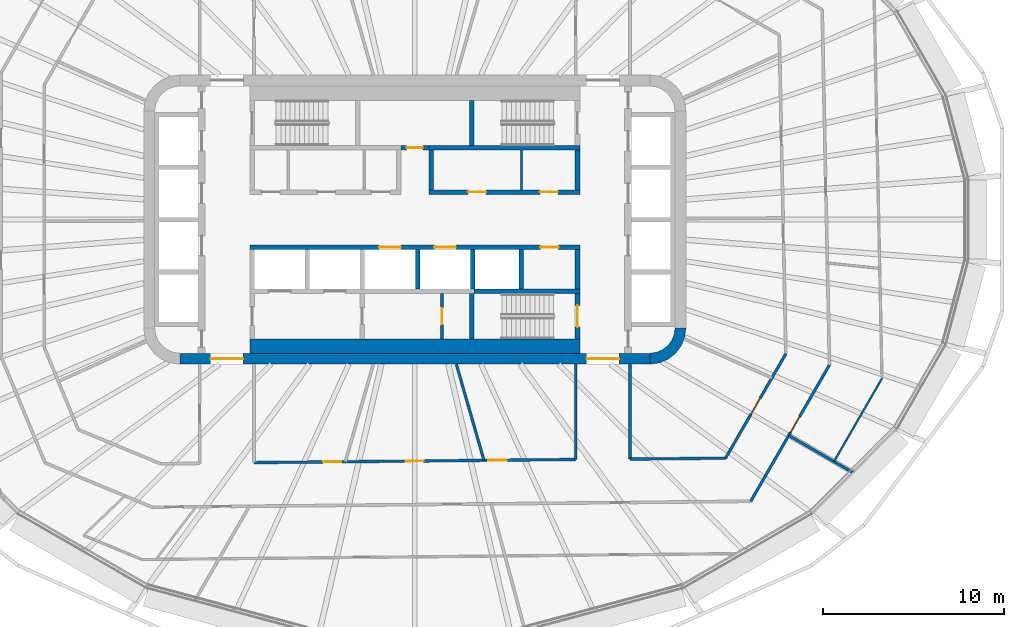
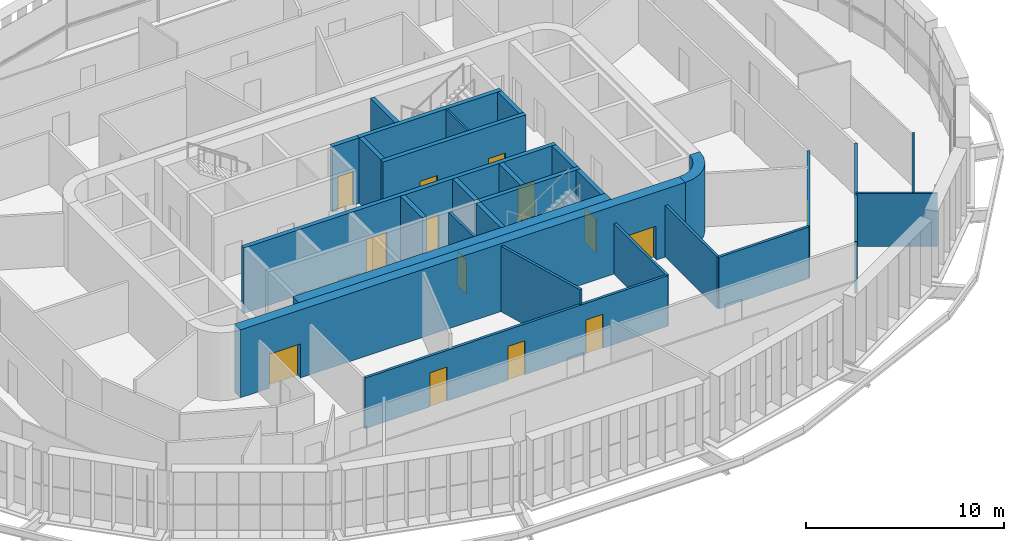
# One storey, part 14 of 24: 28 walls, 15 doors, 15 openings.
"""IFC4 building model written with IfcOpenShell, lengths in metres."""

from ifc_helpers import new_model, si_unit, direction, frame, frame_2d, origin, place, context, subcontext, project, spatial, polyline, rectangle, outline, extrude, material, layer, layer_set, type_object, element, fill, save


model = new_model("IFC4")

# Units and contexts
model_context = context("Model", 3, precision=1e-05, world=origin(), true_north=direction((0.0, 1.0)))
body_context = subcontext(model_context, "Body", "Model", "MODEL_VIEW")
ifc_project = project(units=[si_unit("LENGTHUNIT", "METRE"), si_unit("AREAUNIT", "SQUARE_METRE"), si_unit("VOLUMEUNIT", "CUBIC_METRE"), si_unit("PLANEANGLEUNIT", "RADIAN"), si_unit("MASSUNIT", "GRAM", prefix="KILO")], contexts=[model_context])

# Site, building, storey
site_placement = place(None, origin())
site = spatial("IfcSite", under=ifc_project, at=site_placement, CompositionType="ELEMENT")
building_placement = place(site_placement, origin())
building = spatial("IfcBuilding", under=site, at=building_placement, Name="Sahrelin Media Tower", CompositionType="ELEMENT")
storey_placement = place(building_placement, frame((0.0, 0.0, 58.800048828125)))
storey = spatial("IfcBuildingStorey", under=building, at=storey_placement, Name="L09", CompositionType="ELEMENT", Elevation=58.800048828125)

# Wall, openings, doors
ifc_material_1 = material(Name="Concrete C60/75", Category="concrete")
ifc_layer_1 = layer(ifc_material_1, 0.60009765625)
ifc_layer_set_1 = layer_set([ifc_layer_1], Name="Core wall 600")
wall_type_1 = type_object("IfcWallType", Name="Core wall 600", PredefinedType="SHEAR", material=ifc_layer_set_1)
wall_1_placement = place(storey_placement, frame((-13.0, -7.699951171875, 0.0), z_axis=(0.0, 0.0, 1.0), x_axis=(1.0, 0.0, 0.0)))
wall_1 = element("IfcWall", 1, at=wall_1_placement, inside=storey, type_object=wall_type_1, Name="Core wall S L09", PredefinedType="SHEAR", context=body_context, shape_type="SweptSolid", body=[
    extrude(rectangle(XDim=26.0, YDim=0.60009765625, at=frame_2d((13.0, 0.0))), origin(), (0.0, 0.0, 1.0), 4.199951171875),
])
opening_1_placement = place(wall_1_placement, frame((1.699951171875, 0.0, 0.0)))
opening_1 = element("IfcOpeningElement", 2, at=opening_1_placement, cuts=wall_1, Name="Opening L09-D20", PredefinedType="OPENING", context=body_context, shape_type="SweptSolid", body=[
    extrude(rectangle(XDim=1.800048828125, YDim=2.10009765625, at=frame_2d((0.89990234375, 1.050048828125))), frame((0.0, 0.300048828125, 0.0), z_axis=(0.0, -1.0, 0.0), x_axis=(1.0, 0.0, 0.0)), (0.0, 0.0, 1.0), 0.60009765625),
])
opening_2_placement = place(wall_1_placement, frame((22.5, 0.0, 0.0)))
opening_2 = element("IfcOpeningElement", 3, at=opening_2_placement, cuts=wall_1, Name="Opening L09-D21", PredefinedType="OPENING", context=body_context, shape_type="SweptSolid", body=[
    extrude(rectangle(XDim=1.800048828125, YDim=2.10009765625, at=frame_2d((0.89990234375, 1.050048828125))), frame((0.0, 0.300048828125, 0.0), z_axis=(0.0, -1.0, 0.0), x_axis=(1.0, 0.0, 0.0)), (0.0, 0.0, 1.0), 0.60009765625),
])
ifc_material_2 = material(Name="Steel fire door leaf", Category="steel")
door_type_1 = type_object("IfcDoorType", Name="Lobby double door 1800 x 2100 EI 60", OperationType="DOUBLE_DOOR_SINGLE_SWING", PredefinedType="DOOR", material=ifc_material_2)
door_1_placement = place(opening_1_placement, origin())
door_1 = element("IfcDoor", 4, at=door_1_placement, inside=storey, type_object=door_type_1, Name="Lobby door", OperationType="DOUBLE_DOOR_SINGLE_SWING", OverallHeight=2.10009765625, OverallWidth=1.800048828125, PredefinedType="DOOR", context=body_context, shape_type="SweptSolid", body=[
    extrude(rectangle(XDim=1.800048828125, YDim=2.10009765625, at=frame_2d((0.89990234375, 1.050048828125))), frame((0.0, 0.02490234375, 0.0), z_axis=(0.0, -1.0, 0.0), x_axis=(1.0, 0.0, 0.0)), (0.0, 0.0, 1.0), 0.050048828125),
])
fill(opening_1, door_1)
door_2_placement = place(opening_2_placement, origin())
door_2 = element("IfcDoor", 5, at=door_2_placement, inside=storey, type_object=door_type_1, Name="Lobby door", OperationType="DOUBLE_DOOR_SINGLE_SWING", OverallHeight=2.10009765625, OverallWidth=1.800048828125, PredefinedType="DOOR", context=body_context, shape_type="SweptSolid", body=[
    extrude(rectangle(XDim=1.800048828125, YDim=2.10009765625, at=frame_2d((0.89990234375, 1.050048828125))), frame((0.0, 0.02490234375, 0.0), z_axis=(0.0, -1.0, 0.0), x_axis=(1.0, 0.0, 0.0)), (0.0, 0.0, 1.0), 0.050048828125),
])
fill(opening_2, door_2)

# Wall
wall_2_placement = place(storey_placement, origin())
element("IfcWall", 6, at=wall_2_placement, inside=storey, type_object=wall_type_1, Name="Core wall corner SE L09", PredefinedType="SHEAR", context=body_context, shape_type="SweptSolid", body=[
    extrude(outline(polyline([(15.0, -6.0), (14.394775390625, -6.0), (14.347412109375, -6.361083984375), (14.2080078125, -6.697509765625), (13.986328125, -6.986328125), (13.697509765625, -7.2080078125), (13.361083984375, -7.347412109375), (13.0, -7.394775390625), (13.0, -8.0), (13.517578125, -7.931884765625), (14.0, -7.732177734375), (14.414306640625, -7.414306640625), (14.732177734375, -7.0), (14.931884765625, -6.517578125), (15.0, -6.0)])), origin(), (0.0, 0.0, 1.0), 4.199951171875),
])

# Wall, opening, door
ifc_material_3 = material(Name="Fire-rated gypsum board partition")
ifc_layer_2 = layer(ifc_material_3, 0.25)
ifc_layer_set_2 = layer_set([ifc_layer_2], Name="Fire-rated lobby wall 250")
wall_type_2 = type_object("IfcWallType", Name="Fire-rated lobby wall 250", PredefinedType="PARTITIONING", material=ifc_layer_set_2)
wall_3_placement = place(storey_placement, frame((-0.77490234375, 3.97509765625, 0.0), z_axis=(0.0, 0.0, 1.0), x_axis=(1.0, 0.0, 0.0)))
wall_3 = element("IfcWall", 7, at=wall_3_placement, inside=storey, type_object=wall_type_2, Name="Core lobby wall", PredefinedType="PARTITIONING", context=body_context, shape_type="SweptSolid", body=[
    extrude(rectangle(XDim=1.5498046875, YDim=0.25, at=frame_2d((0.77490234375, 0.0))), origin(), (0.0, 0.0, 1.0), 4.050048828125),
])
opening_3_placement = place(wall_3_placement, frame((0.324951171875, 0.0, 0.0)))
opening_3 = element("IfcOpeningElement", 8, at=opening_3_placement, cuts=wall_3, Name="Opening L09-D06", PredefinedType="OPENING", context=body_context, shape_type="SweptSolid", body=[
    extrude(rectangle(XDim=0.89990234375, YDim=2.10009765625, at=frame_2d((0.449951171875, 1.050048828125))), frame((0.0, 0.125, 0.0), z_axis=(0.0, -1.0, 0.0), x_axis=(1.0, 0.0, 0.0)), (0.0, 0.0, 1.0), 0.25),
])
door_type_2 = type_object("IfcDoorType", Name="Riser door 900 x 2100 EI 120", OperationType="NOTDEFINED", PredefinedType="DOOR", material=ifc_material_2)
door_3_placement = place(opening_3_placement, origin())
door_3 = element("IfcDoor", 9, at=door_3_placement, inside=storey, type_object=door_type_2, Name="Core room door", OperationType="SINGLE_SWING_LEFT", OverallHeight=2.10009765625, OverallWidth=0.89990234375, PredefinedType="DOOR", context=body_context, shape_type="SweptSolid", body=[
    extrude(rectangle(XDim=0.89990234375, YDim=2.10009765625, at=frame_2d((0.449951171875, 1.050048828125))), frame((0.0, 0.02490234375, 0.0), z_axis=(0.0, -1.0, 0.0), x_axis=(1.0, 0.0, 0.0)), (0.0, 0.0, 1.0), 0.050048828125),
])
fill(opening_3, door_3)

# Wall, openings, doors
wall_4_placement = place(storey_placement, frame((0.77490234375, 1.52490234375, 0.0), z_axis=(0.0, 0.0, 1.0), x_axis=(1.0, 0.0, 0.0)))
wall_4 = element("IfcWall", 10, at=wall_4_placement, inside=storey, type_object=wall_type_2, Name="Core lobby wall", PredefinedType="PARTITIONING", context=body_context, shape_type="SweptSolid", body=[
    extrude(rectangle(XDim=8.35009765625, YDim=0.25, at=frame_2d((4.175048828125, 0.0))), origin(), (0.0, 0.0, 1.0), 4.050048828125),
])
opening_4_placement = place(wall_4_placement, frame((2.16259765625, 0.0, 0.0)))
opening_4 = element("IfcOpeningElement", 11, at=opening_4_placement, cuts=wall_4, Name="Opening L09-D11", PredefinedType="OPENING", context=body_context, shape_type="SweptSolid", body=[
    extrude(rectangle(XDim=1.0, YDim=2.10009765625, at=frame_2d((0.5, 1.050048828125))), frame((0.0, 0.125, 0.0), z_axis=(0.0, -1.0, 0.0), x_axis=(1.0, 0.0, 0.0)), (0.0, 0.0, 1.0), 0.25),
])
opening_5_placement = place(wall_4_placement, frame((6.137451171875, 0.0, 0.0)))
opening_5 = element("IfcOpeningElement", 12, at=opening_5_placement, cuts=wall_4, Name="Opening L09-D12", PredefinedType="OPENING", context=body_context, shape_type="SweptSolid", body=[
    extrude(rectangle(XDim=1.0, YDim=2.10009765625, at=frame_2d((0.5, 1.050048828125))), frame((0.0, 0.125, 0.0), z_axis=(0.0, -1.0, 0.0), x_axis=(1.0, 0.0, 0.0)), (0.0, 0.0, 1.0), 0.25),
])
door_type_3 = type_object("IfcDoorType", Name="Fire door 1000 x 2100 EI 60", OperationType="NOTDEFINED", PredefinedType="DOOR", material=ifc_material_2)
door_4_placement = place(opening_4_placement, origin())
door_4 = element("IfcDoor", 13, at=door_4_placement, inside=storey, type_object=door_type_3, Name="Core room door", OperationType="SINGLE_SWING_LEFT", OverallHeight=2.10009765625, OverallWidth=1.0, PredefinedType="DOOR", context=body_context, shape_type="SweptSolid", body=[
    extrude(rectangle(XDim=1.0, YDim=2.10009765625, at=frame_2d((0.5, 1.050048828125))), frame((0.0, 0.02490234375, 0.0), z_axis=(0.0, -1.0, 0.0), x_axis=(1.0, 0.0, 0.0)), (0.0, 0.0, 1.0), 0.050048828125),
])
fill(opening_4, door_4)
door_5_placement = place(opening_5_placement, origin())
door_5 = element("IfcDoor", 14, at=door_5_placement, inside=storey, type_object=door_type_3, Name="Core room door", OperationType="SINGLE_SWING_LEFT", OverallHeight=2.10009765625, OverallWidth=1.0, PredefinedType="DOOR", context=body_context, shape_type="SweptSolid", body=[
    extrude(rectangle(XDim=1.0, YDim=2.10009765625, at=frame_2d((0.5, 1.050048828125))), frame((0.0, 0.02490234375, 0.0), z_axis=(0.0, -1.0, 0.0), x_axis=(1.0, 0.0, 0.0)), (0.0, 0.0, 1.0), 0.050048828125),
])
fill(opening_5, door_5)

# Walls
for number, where, z_axis, x_axis, name in (
    (15, (9.0, 1.64990234375, 0.0), (0.0, 0.0, 1.0), (0.0, 1.0, 0.0), "Core lobby wall"),
    (16, (0.89990234375, 1.64990234375, 0.0), (0.0, 0.0, 1.0), (0.0, 1.0, 0.0), "Core lobby wall"),
):
    element("IfcWall", number, at=place(storey_placement, frame(where, z_axis=z_axis, x_axis=x_axis)), inside=storey, type_object=wall_type_2, Name=name, PredefinedType="PARTITIONING", context=body_context, shape_type="SweptSolid", body=[
        extrude(rectangle(XDim=2.2001953125, YDim=0.25, at=frame_2d((1.10009765625, 0.0))), origin(), (0.0, 0.0, 1.0), 4.050048828125),
    ])
ifc_layer_3 = layer(ifc_material_3, 0.10009765625)
ifc_layer_set_3 = layer_set([ifc_layer_3], Name="Fire-rated partition 100")
wall_type_3 = type_object("IfcWallType", Name="Fire-rated partition 100", PredefinedType="PARTITIONING", material=ifc_layer_set_3)
wall_5_placement = place(storey_placement, frame((5.89990234375, 1.64990234375, 0.0), z_axis=(0.0, 0.0, 1.0), x_axis=(0.0, 1.0, 0.0)))
element("IfcWall", 17, at=wall_5_placement, inside=storey, type_object=wall_type_3, Name="Core room partition", PredefinedType="PARTITIONING", context=body_context, shape_type="SweptSolid", body=[
    extrude(rectangle(XDim=2.2001953125, YDim=0.10009765625, at=frame_2d((1.10009765625, 0.0))), origin(), (0.0, 0.0, 1.0), 4.050048828125),
])

# Wall, opening, door
ifc_layer_4 = layer(ifc_material_3, 0.14990234375)
ifc_layer_set_4 = layer_set([ifc_layer_4], Name="Fire-rated partition 150")
wall_type_4 = type_object("IfcWallType", Name="Fire-rated partition 150", PredefinedType="PARTITIONING", material=ifc_layer_set_4)
wall_6_placement = place(storey_placement, frame((1.5, -6.60009765625, 0.0), z_axis=(0.0, 0.0, 1.0), x_axis=(0.0, 1.0, 0.0)))
wall_6 = element("IfcWall", 18, at=wall_6_placement, inside=storey, type_object=wall_type_4, Name="Core room fire partition", PredefinedType="PARTITIONING", context=body_context, shape_type="SweptSolid", body=[
    extrude(rectangle(XDim=2.5, YDim=0.14990234375, at=frame_2d((1.25, 0.0))), origin(), (0.0, 0.0, 1.0), 4.050048828125),
])
opening_6_placement = place(wall_6_placement, frame((0.800048828125, 0.0, 0.0)))
opening_6 = element("IfcOpeningElement", 19, at=opening_6_placement, cuts=wall_6, Name="Opening L09-D07", PredefinedType="OPENING", context=body_context, shape_type="SweptSolid", body=[
    extrude(rectangle(XDim=0.89990234375, YDim=2.10009765625, at=frame_2d((0.449951171875, 1.050048828125))), frame((0.0, 0.074951171875, 0.0), z_axis=(0.0, -1.0, 0.0), x_axis=(1.0, 0.0, 0.0)), (0.0, 0.0, 1.0), 0.14990234375),
])
door_type_4 = type_object("IfcDoorType", Name="Fire door 900 x 2100 EI 60", OperationType="NOTDEFINED", PredefinedType="DOOR", material=ifc_material_2)
door_6_placement = place(opening_6_placement, origin())
door_6 = element("IfcDoor", 20, at=door_6_placement, inside=storey, type_object=door_type_4, Name="Core room door", OperationType="SINGLE_SWING_RIGHT", OverallHeight=2.10009765625, OverallWidth=0.89990234375, PredefinedType="DOOR", context=body_context, shape_type="SweptSolid", body=[
    extrude(rectangle(XDim=0.89990234375, YDim=2.10009765625, at=frame_2d((0.449951171875, 1.050048828125))), frame((0.0, 0.02490234375, 0.0), z_axis=(0.0, -1.0, 0.0), x_axis=(1.0, 0.0, 0.0)), (0.0, 0.0, 1.0), 0.050048828125),
])
fill(opening_6, door_6)

# Walls
wall_7_placement = place(storey_placement, frame((2.2958984375, -8.0, 0.0), z_axis=(0.0, 0.0, 1.0), x_axis=(0.275935525478, -0.961176147113, 0.0)))
element("IfcWall", 21, at=wall_7_placement, inside=storey, type_object=wall_type_4, Name="Wall", PredefinedType="PARTITIONING", context=body_context, shape_type="SweptSolid", body=[
    extrude(rectangle(XDim=5.54833984375, YDim=0.14990234375, at=frame_2d((2.774169921875, 0.0))), origin(), (0.0, 0.0, 1.0), 4.050048828125),
])
wall_8_placement = place(storey_placement, frame((20.68994140625, -11.945068359375, 0.0), z_axis=(0.0, 0.0, 1.0), x_axis=(0.866053314856, -0.49995165349, 0.0)))
element("IfcWall", 22, at=wall_8_placement, inside=storey, type_object=wall_type_4, Name="Wall", PredefinedType="PARTITIONING", context=body_context, shape_type="SweptSolid", body=[
    extrude(rectangle(XDim=4.11865234375, YDim=0.14990234375, at=frame_2d((2.059326171875, 0.0))), origin(), (0.0, 0.0, 1.0), 3.27587890625),
])

# Wall, openings, doors
wall_9_placement = place(storey_placement, frame((-8.89990234375, -13.448974609375, 0.0), z_axis=(0.0, 0.0, 1.0), x_axis=(0.999950697987, 0.009929833562, 0.0)))
wall_9 = element("IfcWall", 23, at=wall_9_placement, inside=storey, type_object=wall_type_4, Name="Wall", PredefinedType="PARTITIONING", context=body_context, shape_type="SweptSolid", body=[
    extrude(rectangle(XDim=17.80078125, YDim=0.14990234375, at=frame_2d((8.900390625, 0.0))), origin(), (0.0, 0.0, 1.0), 3.126953125),
])
opening_7_placement = place(wall_9_placement, frame((3.818359375, 0.0, 0.0)))
opening_7 = element("IfcOpeningElement", 24, at=opening_7_placement, cuts=wall_9, Name="Opening L09-D22", PredefinedType="OPENING", context=body_context, shape_type="SweptSolid", body=[
    extrude(rectangle(XDim=1.0, YDim=2.10009765625, at=frame_2d((0.5, 1.050048828125))), frame((0.0, 0.074951171875, 0.0), z_axis=(0.0, -1.0, 0.0), x_axis=(1.0, 0.0, 0.0)), (0.0, 0.0, 1.0), 0.14990234375),
])
opening_8_placement = place(wall_9_placement, frame((8.39111328125, 0.0, 0.0)))
opening_8 = element("IfcOpeningElement", 25, at=opening_8_placement, cuts=wall_9, Name="Opening L09-D23", PredefinedType="OPENING", context=body_context, shape_type="SweptSolid", body=[
    extrude(rectangle(XDim=1.0, YDim=2.10009765625, at=frame_2d((0.5, 1.050048828125))), frame((0.0, 0.074951171875, 0.0), z_axis=(0.0, -1.0, 0.0), x_axis=(1.0, 0.0, 0.0)), (0.0, 0.0, 1.0), 0.14990234375),
])
opening_9_placement = place(wall_9_placement, frame((12.974853515625, 0.0, 0.0)))
opening_9 = element("IfcOpeningElement", 26, at=opening_9_placement, cuts=wall_9, Name="Opening L09-D24", PredefinedType="OPENING", context=body_context, shape_type="SweptSolid", body=[
    extrude(rectangle(XDim=1.0, YDim=2.10009765625, at=frame_2d((0.5, 1.050048828125))), frame((0.0, 0.074951171875, 0.0), z_axis=(0.0, -1.0, 0.0), x_axis=(1.0, 0.0, 0.0)), (0.0, 0.0, 1.0), 0.14990234375),
])
door_7_placement = place(opening_7_placement, origin())
door_7 = element("IfcDoor", 27, at=door_7_placement, inside=storey, type_object=door_type_3, Name="Fire door", OperationType="SINGLE_SWING_LEFT", OverallHeight=2.10009765625, OverallWidth=1.0, PredefinedType="DOOR", context=body_context, shape_type="SweptSolid", body=[
    extrude(rectangle(XDim=1.0, YDim=2.10009765625, at=frame_2d((0.5, 1.050048828125))), frame((0.0, 0.02490234375, 0.0), z_axis=(0.0, -1.0, 0.0), x_axis=(1.0, 0.0, 0.0)), (0.0, 0.0, 1.0), 0.050048828125),
])
fill(opening_7, door_7)
door_8_placement = place(opening_8_placement, origin())
door_8 = element("IfcDoor", 28, at=door_8_placement, inside=storey, type_object=door_type_3, Name="Fire door", OperationType="SINGLE_SWING_LEFT", OverallHeight=2.10009765625, OverallWidth=1.0, PredefinedType="DOOR", context=body_context, shape_type="SweptSolid", body=[
    extrude(rectangle(XDim=1.0, YDim=2.10009765625, at=frame_2d((0.5, 1.050048828125))), frame((0.0, 0.02490234375, 0.0), z_axis=(0.0, -1.0, 0.0), x_axis=(1.0, 0.0, 0.0)), (0.0, 0.0, 1.0), 0.050048828125),
])
fill(opening_8, door_8)
door_9_placement = place(opening_9_placement, origin())
door_9 = element("IfcDoor", 29, at=door_9_placement, inside=storey, type_object=door_type_3, Name="Fire door", OperationType="SINGLE_SWING_RIGHT", OverallHeight=2.10009765625, OverallWidth=1.0, PredefinedType="DOOR", context=body_context, shape_type="SweptSolid", body=[
    extrude(rectangle(XDim=1.0, YDim=2.10009765625, at=frame_2d((0.5, 1.050048828125))), frame((0.0, 0.02490234375, 0.0), z_axis=(0.0, -1.0, 0.0), x_axis=(1.0, 0.0, 0.0)), (0.0, 0.0, 1.0), 0.050048828125),
])
fill(opening_9, door_9)

# Wall
wall_10_placement = place(storey_placement, frame((11.89990234375, -13.2529296875, 0.0), z_axis=(0.0, 0.0, 1.0), x_axis=(0.999950853109, 0.009914200296, 0.0)))
element("IfcWall", 30, at=wall_10_placement, inside=storey, type_object=wall_type_4, Name="Wall", PredefinedType="PARTITIONING", context=body_context, shape_type="SweptSolid", body=[
    extrude(rectangle(XDim=5.29443359375, YDim=0.14990234375, at=frame_2d((2.647216796875, 0.0))), origin(), (0.0, 0.0, 1.0), 3.195068359375),
])

# Wall, opening, door
wall_11_placement = place(storey_placement, frame((18.5869140625, -15.5869140625, 0.0), z_axis=(0.0, 0.0, 1.0), x_axis=(0.500026433136, 0.866010142069, 0.0)))
wall_11 = element("IfcWall", 31, at=wall_11_placement, inside=storey, type_object=wall_type_4, Name="Wall", PredefinedType="PARTITIONING", context=body_context, shape_type="SweptSolid", body=[
    extrude(rectangle(XDim=8.71337890625, YDim=0.14990234375, at=frame_2d((4.356689453125, 0.0))), origin(), (0.0, 0.0, 1.0), 3.195068359375),
])
opening_10_placement = place(wall_11_placement, frame((4.407958984375, 0.0, 0.0)))
opening_10 = element("IfcOpeningElement", 32, at=opening_10_placement, cuts=wall_11, Name="Opening L09-D49", PredefinedType="OPENING", context=body_context, shape_type="SweptSolid", body=[
    extrude(rectangle(XDim=1.0, YDim=2.10009765625, at=frame_2d((0.5, 1.050048828125))), frame((0.0, 0.074951171875, 0.0), z_axis=(0.0, -1.0, 0.0), x_axis=(1.0, 0.0, 0.0)), (0.0, 0.0, 1.0), 0.14990234375),
])
door_10_placement = place(opening_10_placement, origin())
door_10 = element("IfcDoor", 33, at=door_10_placement, inside=storey, type_object=door_type_3, Name="Fire door", OperationType="SINGLE_SWING_LEFT", OverallHeight=2.10009765625, OverallWidth=1.0, PredefinedType="DOOR", context=body_context, shape_type="SweptSolid", body=[
    extrude(rectangle(XDim=1.0, YDim=2.10009765625, at=frame_2d((0.5, 1.050048828125))), frame((0.0, 0.02490234375, 0.0), z_axis=(0.0, -1.0, 0.0), x_axis=(1.0, 0.0, 0.0)), (0.0, 0.0, 1.0), 0.050048828125),
])
fill(opening_10, door_10)

wall_12_placement = place(storey_placement, frame((17.194091796875, -13.200927734375, 0.0), z_axis=(0.0, 0.0, 1.0), x_axis=(0.50001062018, 0.866019272134, 0.0)))
wall_12 = element("IfcWall", 34, at=wall_12_placement, inside=storey, type_object=wall_type_4, Name="Wall", PredefinedType="PARTITIONING", context=body_context, shape_type="SweptSolid", body=[
    extrude(rectangle(XDim=6.673583984375, YDim=0.14990234375, at=frame_2d((3.3369140625, 0.0))), origin(), (0.0, 0.0, 1.0), 3.195068359375),
])
opening_11_placement = place(wall_12_placement, frame((2.833251953125, 0.0, 0.0)))
opening_11 = element("IfcOpeningElement", 35, at=opening_11_placement, cuts=wall_12, Name="Opening L09-D25", PredefinedType="OPENING", context=body_context, shape_type="SweptSolid", body=[
    extrude(rectangle(XDim=1.0, YDim=2.10009765625, at=frame_2d((0.5, 1.050048828125))), frame((0.0, 0.074951171875, 0.0), z_axis=(0.0, -1.0, 0.0), x_axis=(1.0, 0.0, 0.0)), (0.0, 0.0, 1.0), 0.14990234375),
])
door_11_placement = place(opening_11_placement, origin())
door_11 = element("IfcDoor", 36, at=door_11_placement, inside=storey, type_object=door_type_3, Name="Fire door", OperationType="SINGLE_SWING_RIGHT", OverallHeight=2.10009765625, OverallWidth=1.0, PredefinedType="DOOR", context=body_context, shape_type="SweptSolid", body=[
    extrude(rectangle(XDim=1.0, YDim=2.10009765625, at=frame_2d((0.5, 1.050048828125))), frame((0.0, 0.02490234375, 0.0), z_axis=(0.0, -1.0, 0.0), x_axis=(1.0, 0.0, 0.0)), (0.0, 0.0, 1.0), 0.050048828125),
])
fill(opening_11, door_11)

# Walls
wall_13_placement = place(storey_placement, frame((11.89990234375, -13.2529296875, 0.0), z_axis=(0.0, 0.0, 1.0), x_axis=(0.0, 1.0, 0.0)))
element("IfcWall", 37, at=wall_13_placement, inside=storey, type_object=wall_type_4, Name="Wall", PredefinedType="PARTITIONING", context=body_context, shape_type="SweptSolid", body=[
    extrude(rectangle(XDim=5.2529296875, YDim=0.14990234375, at=frame_2d((2.62646484375, 0.0))), origin(), (0.0, 0.0, 1.0), 3.195068359375),
])
wall_14_placement = place(storey_placement, frame((8.89990234375, -13.282958984375, 0.0), z_axis=(0.0, 0.0, 1.0), x_axis=(0.0, 1.0, 0.0)))
element("IfcWall", 38, at=wall_14_placement, inside=storey, type_object=wall_type_4, Name="Wall", PredefinedType="PARTITIONING", context=body_context, shape_type="SweptSolid", body=[
    extrude(rectangle(XDim=5.282958984375, YDim=0.14990234375, at=frame_2d((2.6416015625, 0.0))), origin(), (0.0, 0.0, 1.0), 3.126953125),
])

# Wall, openings, doors
ifc_layer_5 = layer(ifc_material_1, 0.25)
ifc_layer_set_5 = layer_set([ifc_layer_5], Name="Lift shaft wall 250")
wall_type_5 = type_object("IfcWallType", Name="Lift shaft wall 250", PredefinedType="SOLIDWALL", material=ifc_layer_set_5)
wall_15_placement = place(storey_placement, frame((-9.125, -1.52490234375, 0.0), z_axis=(0.0, 0.0, 1.0), x_axis=(1.0, 0.0, 0.0)))
wall_15 = element("IfcWall", 39, at=wall_15_placement, inside=storey, type_object=wall_type_5, Name="Lift shaft wall", PredefinedType="SOLIDWALL", context=body_context, shape_type="SweptSolid", body=[
    extrude(rectangle(XDim=18.25, YDim=0.25, at=frame_2d((9.125, 0.0))), origin(), (0.0, 0.0, 1.0), 4.050048828125),
])
opening_12_placement = place(wall_15_placement, frame((7.14990234375, 0.0, 0.0)))
opening_12 = element("IfcOpeningElement", 40, at=opening_12_placement, cuts=wall_15, Name="Opening L09-LD-SV1", PredefinedType="OPENING", context=body_context, shape_type="SweptSolid", body=[
    extrude(rectangle(XDim=1.199951171875, YDim=2.10009765625, at=frame_2d((0.60009765625, 1.050048828125))), frame((0.0, 0.125, 0.0), z_axis=(0.0, -1.0, 0.0), x_axis=(1.0, 0.0, 0.0)), (0.0, 0.0, 1.0), 0.25),
])
opening_13_placement = place(wall_15_placement, frame((10.199951171875, 0.0, 0.0)))
opening_13 = element("IfcOpeningElement", 41, at=opening_13_placement, cuts=wall_15, Name="Opening L09-LD-SV2", PredefinedType="OPENING", context=body_context, shape_type="SweptSolid", body=[
    extrude(rectangle(XDim=1.199951171875, YDim=2.10009765625, at=frame_2d((0.60009765625, 1.050048828125))), frame((0.0, 0.125, 0.0), z_axis=(0.0, -1.0, 0.0), x_axis=(1.0, 0.0, 0.0)), (0.0, 0.0, 1.0), 0.25),
])
opening_14_placement = place(wall_15_placement, frame((16.074951171875, 0.0, 0.0)))
opening_14 = element("IfcOpeningElement", 42, at=opening_14_placement, cuts=wall_15, Name="Opening L09-D13", PredefinedType="OPENING", context=body_context, shape_type="SweptSolid", body=[
    extrude(rectangle(XDim=1.0, YDim=2.10009765625, at=frame_2d((0.5, 1.050048828125))), frame((0.0, 0.125, 0.0), z_axis=(0.0, -1.0, 0.0), x_axis=(1.0, 0.0, 0.0)), (0.0, 0.0, 1.0), 0.25),
])
door_12_placement = place(opening_14_placement, origin())
door_12 = element("IfcDoor", 43, at=door_12_placement, inside=storey, type_object=door_type_3, Name="Core room door", OperationType="SINGLE_SWING_RIGHT", OverallHeight=2.10009765625, OverallWidth=1.0, PredefinedType="DOOR", context=body_context, shape_type="SweptSolid", body=[
    extrude(rectangle(XDim=1.0, YDim=2.10009765625, at=frame_2d((0.5, 1.050048828125))), frame((0.0, 0.02490234375, 0.0), z_axis=(0.0, -1.0, 0.0), x_axis=(1.0, 0.0, 0.0)), (0.0, 0.0, 1.0), 0.050048828125),
])
fill(opening_14, door_12)
ifc_material_4 = material(Name="Stainless steel", Category="steel")
door_type_5 = type_object("IfcDoorType", Name="Lift landing door 1200 x 2100 EI 120", OperationType="DOUBLE_DOOR_SLIDING", PredefinedType="DOOR", material=ifc_material_4)
door_13_placement = place(opening_12_placement, origin())
door_13 = element("IfcDoor", 44, at=door_13_placement, inside=storey, type_object=door_type_5, Name="Lift landing door SV1", OperationType="DOUBLE_DOOR_SLIDING", OverallHeight=2.10009765625, OverallWidth=1.199951171875, PredefinedType="DOOR", context=body_context, shape_type="SweptSolid", body=[
    extrude(rectangle(XDim=1.199951171875, YDim=2.10009765625, at=frame_2d((0.60009765625, 1.050048828125))), frame((0.0, 0.02490234375, 0.0), z_axis=(0.0, -1.0, 0.0), x_axis=(1.0, 0.0, 0.0)), (0.0, 0.0, 1.0), 0.050048828125),
])
fill(opening_12, door_13)
door_14_placement = place(opening_13_placement, origin())
door_14 = element("IfcDoor", 45, at=door_14_placement, inside=storey, type_object=door_type_5, Name="Lift landing door SV2", OperationType="DOUBLE_DOOR_SLIDING", OverallHeight=2.10009765625, OverallWidth=1.199951171875, PredefinedType="DOOR", context=body_context, shape_type="SweptSolid", body=[
    extrude(rectangle(XDim=1.199951171875, YDim=2.10009765625, at=frame_2d((0.60009765625, 1.050048828125))), frame((0.0, 0.02490234375, 0.0), z_axis=(0.0, -1.0, 0.0), x_axis=(1.0, 0.0, 0.0)), (0.0, 0.0, 1.0), 0.050048828125),
])
fill(opening_13, door_14)

# Walls
wall_16_placement = place(storey_placement, frame((3.27490234375, -3.97509765625, 0.0), z_axis=(0.0, 0.0, 1.0), x_axis=(1.0, 0.0, 0.0)))
element("IfcWall", 46, at=wall_16_placement, inside=storey, type_object=wall_type_5, Name="Lift shaft wall", PredefinedType="SOLIDWALL", context=body_context, shape_type="SweptSolid", body=[
    extrude(rectangle(XDim=5.85009765625, YDim=0.25, at=frame_2d((2.925048828125, 0.0))), origin(), (0.0, 0.0, 1.0), 4.050048828125),
])
for number, where, z_axis, x_axis, name in (
    (47, (0.14990234375, -3.85009765625, 0.0), (0.0, 0.0, 1.0), (0.0, 1.0, 0.0), "Lift shaft wall"),
    (48, (3.199951171875, -3.85009765625, 0.0), (0.0, 0.0, 1.0), (0.0, 1.0, 0.0), "Lift shaft wall"),
    (49, (5.89990234375, -3.85009765625, 0.0), (0.0, 0.0, 1.0), (0.0, 1.0, 0.0), "Lift shaft wall"),
    (50, (9.0, -3.85009765625, 0.0), (0.0, 0.0, 1.0), (0.0, 1.0, 0.0), "Lift shaft wall"),
):
    element("IfcWall", number, at=place(storey_placement, frame(where, z_axis=z_axis, x_axis=x_axis)), inside=storey, type_object=wall_type_5, Name=name, PredefinedType="SOLIDWALL", context=body_context, shape_type="SweptSolid", body=[
        extrude(rectangle(XDim=2.2001953125, YDim=0.25, at=frame_2d((1.10009765625, 0.0))), origin(), (0.0, 0.0, 1.0), 4.050048828125),
    ])
ifc_material_5 = material(Name="Gypsum board partition")
ifc_layer_6 = layer(ifc_material_5, 0.10009765625)
ifc_layer_set_6 = layer_set([ifc_layer_6], Name="Partition 100")
wall_type_6 = type_object("IfcWallType", Name="Partition 100", PredefinedType="PARTITIONING", material=ifc_layer_set_6)
wall_17_placement = place(storey_placement, frame((23.193115234375, -13.389892578125, 0.0), z_axis=(0.0, 0.0, 1.0), x_axis=(0.500018082969, 0.866014963326, 0.0)))
element("IfcWall", 51, at=wall_17_placement, inside=storey, type_object=wall_type_6, Name="Wall", PredefinedType="PARTITIONING", context=body_context, shape_type="SweptSolid", body=[
    extrude(rectangle(XDim=5.313720703125, YDim=0.10009765625, at=frame_2d((2.65673828125, 0.0))), origin(), (0.0, 0.0, 1.0), 3.27587890625),
])

# Wall, opening, door
ifc_layer_7 = layer(ifc_material_1, 0.25)
ifc_layer_set_7 = layer_set([ifc_layer_7], Name="Stair enclosure wall 250")
wall_type_7 = type_object("IfcWallType", Name="Stair enclosure wall 250", PredefinedType="SOLIDWALL", material=ifc_layer_set_7)
wall_18_placement = place(storey_placement, frame((9.0, -6.60009765625, 0.0), z_axis=(0.0, 0.0, 1.0), x_axis=(0.0, 1.0, 0.0)))
wall_18 = element("IfcWall", 52, at=wall_18_placement, inside=storey, type_object=wall_type_7, Name="Stair enclosure wall", PredefinedType="SOLIDWALL", context=body_context, shape_type="SweptSolid", body=[
    extrude(rectangle(XDim=2.5, YDim=0.25, at=frame_2d((1.25, 0.0))), origin(), (0.0, 0.0, 1.0), 4.050048828125),
])
opening_15_placement = place(wall_18_placement, frame((0.64990234375, 0.0, 0.0)))
opening_15 = element("IfcOpeningElement", 53, at=opening_15_placement, cuts=wall_18, Name="Opening L09-D03", PredefinedType="OPENING", context=body_context, shape_type="SweptSolid", body=[
    extrude(rectangle(XDim=1.199951171875, YDim=2.10009765625, at=frame_2d((0.60009765625, 1.050048828125))), frame((0.0, 0.125, 0.0), z_axis=(0.0, -1.0, 0.0), x_axis=(1.0, 0.0, 0.0)), (0.0, 0.0, 1.0), 0.25),
])
door_type_6 = type_object("IfcDoorType", Name="Stair door 1200 x 2100 EI 120", OperationType="NOTDEFINED", PredefinedType="DOOR", material=ifc_material_2)
door_15_placement = place(opening_15_placement, origin())
door_15 = element("IfcDoor", 54, at=door_15_placement, inside=storey, type_object=door_type_6, Name="Stair door ST2", OperationType="SINGLE_SWING_LEFT", OverallHeight=2.10009765625, OverallWidth=1.199951171875, PredefinedType="DOOR", context=body_context, shape_type="SweptSolid", body=[
    extrude(rectangle(XDim=1.199951171875, YDim=2.10009765625, at=frame_2d((0.60009765625, 1.050048828125))), frame((0.0, 0.02490234375, 0.0), z_axis=(0.0, -1.0, 0.0), x_axis=(1.0, 0.0, 0.0)), (0.0, 0.0, 1.0), 0.050048828125),
])
fill(opening_15, door_15)

# Walls
for number, where, z_axis, x_axis, name in (
    (55, (3.14990234375, 4.10009765625, 0.0), (0.0, 0.0, 1.0), (0.0, 1.0, 0.0), "Stair enclosure wall"),
    (56, (3.14990234375, -6.60009765625, 0.0), (0.0, 0.0, 1.0), (0.0, 1.0, 0.0), "Stair enclosure wall"),
):
    element("IfcWall", number, at=place(storey_placement, frame(where, z_axis=z_axis, x_axis=x_axis)), inside=storey, type_object=wall_type_7, Name=name, PredefinedType="SOLIDWALL", context=body_context, shape_type="SweptSolid", body=[
        extrude(rectangle(XDim=2.5, YDim=0.25, at=frame_2d((1.25, 0.0))), origin(), (0.0, 0.0, 1.0), 4.050048828125),
    ])
wall_19_placement = place(storey_placement, frame((0.77490234375, 3.97509765625, 0.0), z_axis=(0.0, 0.0, 1.0), x_axis=(1.0, 0.0, 0.0)))
element("IfcWall", 57, at=wall_19_placement, inside=storey, type_object=wall_type_7, Name="Stair enclosure wall", PredefinedType="SOLIDWALL", context=body_context, shape_type="SweptSolid", body=[
    extrude(rectangle(XDim=8.35009765625, YDim=0.25, at=frame_2d((4.175048828125, 0.0))), origin(), (0.0, 0.0, 1.0), 4.050048828125),
])
ifc_layer_8 = layer(ifc_material_1, 0.800048828125)
ifc_layer_set_8 = layer_set([ifc_layer_8], Name="Stair enclosure wall 800")
wall_type_8 = type_object("IfcWallType", Name="Stair enclosure wall 800", PredefinedType="SOLIDWALL", material=ifc_layer_set_8)
wall_20_placement = place(storey_placement, frame((-9.125, -7.0, 0.0), z_axis=(0.0, 0.0, 1.0), x_axis=(1.0, 0.0, 0.0)))
element("IfcWall", 58, at=wall_20_placement, inside=storey, type_object=wall_type_8, Name="Stair enclosure wall", PredefinedType="SOLIDWALL", context=body_context, shape_type="SweptSolid", body=[
    extrude(rectangle(XDim=18.25, YDim=0.800048828125, at=frame_2d((9.125, 0.0))), origin(), (0.0, 0.0, 1.0), 4.050048828125),
])

save(model, "model.ifc")
